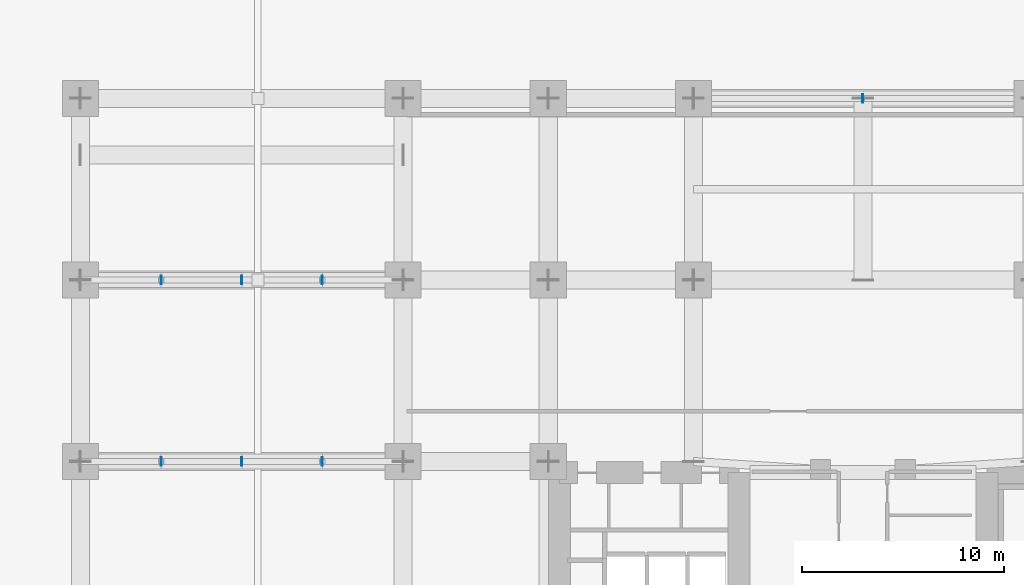
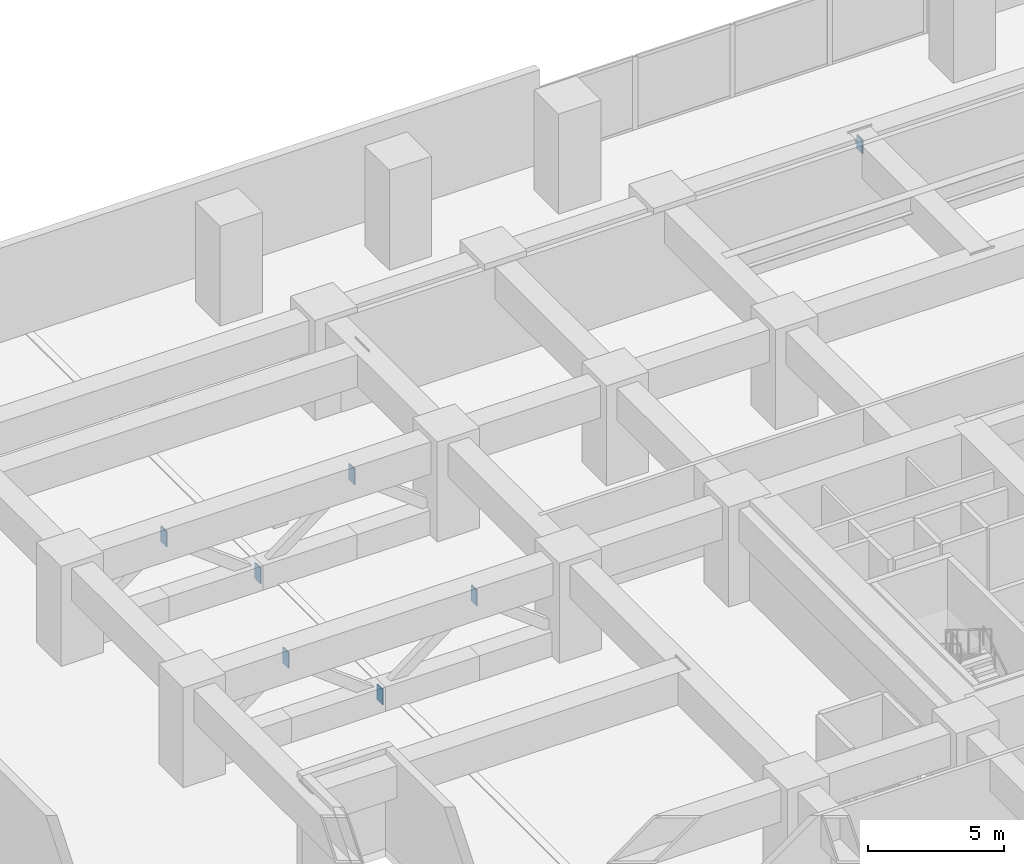
# One storey, part 14 of 25: 14 plates.
"""IFC4 building model written with IfcOpenShell, lengths in metres."""

from ifc_helpers import new_model, si_unit, direction, frame, origin, origin_2d, place, context, subcontext, project, spatial, rectangle, extrude, material, layer, layer_set, type_object, element, save


model = new_model("IFC4")

# Units and contexts
model_context = context("Model", 3, precision=1e-05, world=origin(), true_north=direction((0.0, 1.0)))
body_context = subcontext(model_context, "Body", "Model", "MODEL_VIEW")
ifc_project = project(units=[si_unit("LENGTHUNIT", "METRE"), si_unit("AREAUNIT", "SQUARE_METRE"), si_unit("VOLUMEUNIT", "CUBIC_METRE"), si_unit("PLANEANGLEUNIT", "RADIAN"), si_unit("MASSUNIT", "GRAM", prefix="KILO")], contexts=[model_context])

# Site, building, storey
site_placement = place(None, origin())
site = spatial("IfcSite", under=ifc_project, at=site_placement, CompositionType="ELEMENT")
building_placement = place(site_placement, origin())
building = spatial("IfcBuilding", under=site, at=building_placement, Name="Kiyonajd Concourse Tower", CompositionType="ELEMENT")
storey_placement = place(building_placement, frame((0.0, 0.0, 17.10009765625)))
storey = spatial("IfcBuildingStorey", under=building, at=storey_placement, Name="L05", CompositionType="ELEMENT", Elevation=17.10009765625)

# Plates
ifc_material = material(Name="Steel ASTM A572 Grade 50", Category="steel")
ifc_layer = layer(ifc_material, 0.028076171875)
ifc_layer_set = layer_set([ifc_layer], Name="Steel ASTM A572 Grade 50")
plate_type = type_object("IfcPlateType", Name="PL-CAP-450", PredefinedType="USERDEFINED", material=ifc_layer_set)
for number, where, z_axis, x_axis, name in (
    (1, (13.208740234375, 44.39990234375, 3.244140625), (0.0, 0.0, 1.0), (1.0, 0.0, 0.0), "L05 Truss Web Top Seal Plate 05"),
    (2, (13.191162109375, 44.39990234375, 3.244140625), (0.0, 0.0, 1.0), (-1.0, 0.0, 0.0), "L05 Truss Web End Seal Plate 06"),
    (3, (17.208740234375, 44.39990234375, 0.190673828125), (0.0, 0.0, 1.0), (1.0, 0.0, 0.0), "L05 Truss Web Top Seal Plate 06"),
    (4, (17.191162109375, 44.39990234375, 0.190673828125), (0.0, 0.0, 1.0), (-1.0, 0.0, 0.0), "L05 Truss Web End Seal Plate 07"),
    (5, (21.208740234375, 44.39990234375, 3.244140625), (0.0, 0.0, 1.0), (1.0, 0.0, 0.0), "L05 Truss Web Top Seal Plate 07"),
    (6, (21.191162109375, 44.39990234375, 3.244140625), (0.0, 0.0, 1.0), (-1.0, 0.0, 0.0), "L05 Truss Web End Seal Plate 08"),
    (7, (13.208740234375, 53.39990234375, 3.244140625), (0.0, 0.0, 1.0), (1.0, 0.0, 0.0), "L05 Truss Web Top Seal Plate 09"),
    (8, (13.191162109375, 53.39990234375, 3.244140625), (0.0, 0.0, 1.0), (-1.0, 0.0, 0.0), "L05 Truss Web End Seal Plate 10"),
    (9, (17.208740234375, 53.39990234375, 0.190673828125), (0.0, 0.0, 1.0), (1.0, 0.0, 0.0), "L05 Truss Web Top Seal Plate 10"),
    (10, (17.191162109375, 53.39990234375, 0.190673828125), (0.0, 0.0, 1.0), (-1.0, 0.0, 0.0), "L05 Truss Web End Seal Plate 11"),
    (11, (21.208740234375, 53.39990234375, 3.244140625), (0.0, 0.0, 1.0), (1.0, 0.0, 0.0), "L05 Truss Web Top Seal Plate 11"),
    (12, (21.191162109375, 53.39990234375, 3.244140625), (0.0, 0.0, 1.0), (-1.0, 0.0, 0.0), "L05 Truss Web End Seal Plate 12"),
):
    element("IfcPlate", number, at=place(storey_placement, frame(where, z_axis=z_axis, x_axis=x_axis)), inside=storey, type_object=plate_type, Name=name, ObjectType="CAP PLATE", PredefinedType="USERDEFINED", context=body_context, shape_type="SweptSolid", body=[
        extrude(rectangle(XDim=0.035888671875, YDim=0.419921875, at=origin_2d()), origin(), (0.0, 0.0, 1.0), 0.705078125),
    ])
for number, where, z_axis, x_axis, name in (
    (13, (48.01025390625, 62.39990234375, 3.2841796875), (0.0, 0.0, 1.0), (1.0, 0.0, 0.0), "L05 Truss Web Top Seal Plate 15"),
    (14, (47.98974609375, 62.39990234375, 3.2841796875), (0.0, 0.0, 1.0), (-1.0, 0.0, 0.0), "L05 Truss Web Top Seal Plate 16"),
):
    element("IfcPlate", number, at=place(storey_placement, frame(where, z_axis=z_axis, x_axis=x_axis)), inside=storey, type_object=plate_type, Name=name, ObjectType="CAP PLATE", PredefinedType="USERDEFINED", context=body_context, shape_type="SweptSolid", body=[
        extrude(rectangle(XDim=0.035888671875, YDim=0.419921875, at=origin_2d()), origin(), (0.0, 0.0, 1.0), 0.618896484375),
    ])

save(model, "model.ifc")
